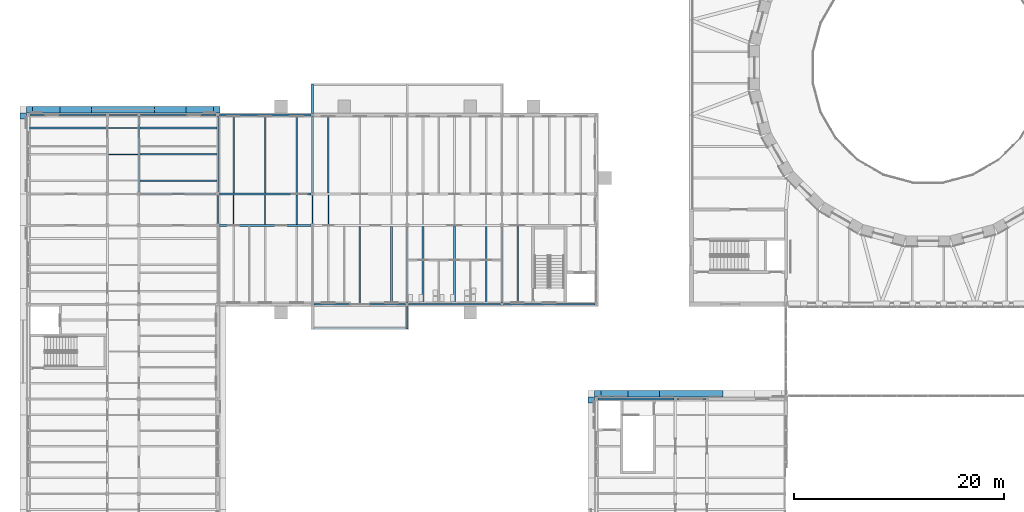
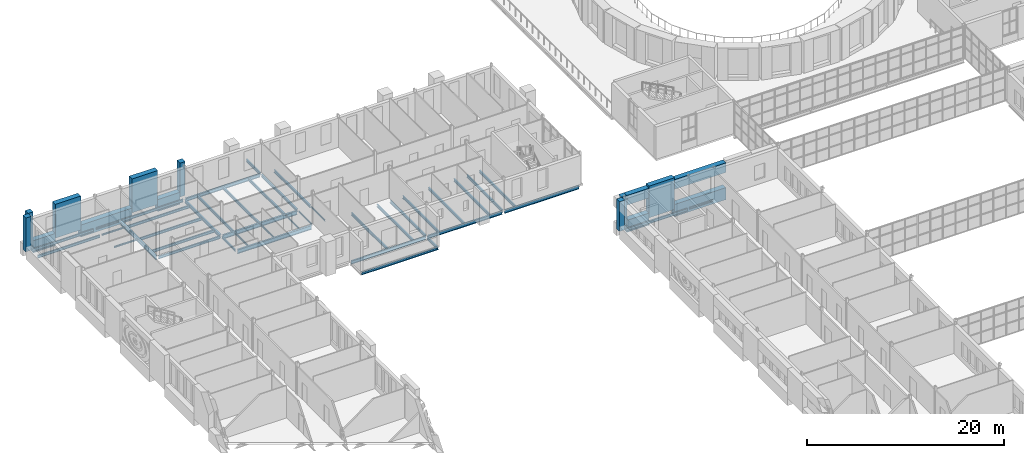
# One storey, part 35 of 154: 49 beams, 8 members.
"""IFC4 building model written with IfcOpenShell, lengths in metres."""

from ifc_helpers import new_model, si_unit, direction, frame, origin, origin_2d, place, context, subcontext, project, spatial, rectangle, i_section, extrude, material, material_profile, profile_set, type_object, element, save


model = new_model("IFC4")

# Units and contexts
model_context = context("Model", 3, precision=1e-05, world=origin(), true_north=direction((0.0, 1.0)))
body_context = subcontext(model_context, "Body", "Model", "MODEL_VIEW")
ifc_project = project(units=[si_unit("LENGTHUNIT", "METRE"), si_unit("AREAUNIT", "SQUARE_METRE"), si_unit("VOLUMEUNIT", "CUBIC_METRE"), si_unit("PLANEANGLEUNIT", "RADIAN"), si_unit("MASSUNIT", "GRAM", prefix="KILO")], contexts=[model_context])

# Site, building, storey
site_placement = place(None, origin())
site = spatial("IfcSite", under=ifc_project, at=site_placement, CompositionType="ELEMENT")
building_placement = place(site_placement, origin())
building = spatial("IfcBuilding", under=site, at=building_placement, Name="Golden Quay Civic Hall", CompositionType="ELEMENT")
storey_placement = place(building_placement, frame((0.0, 0.0, 14.39990234375)))
storey = spatial("IfcBuildingStorey", under=building, at=storey_placement, Name="L03", CompositionType="ELEMENT", Elevation=14.39990234375)

# Beams
ifc_material_1 = material(Name="Steel S355", Category="steel")
ifc_material_profile_1 = material_profile(ifc_material_1, i_section(OverallWidth=0.159912109375, OverallDepth=0.330078125, WebThickness=0.007568359375, FlangeThickness=0.011474609375, FilletRadius=0.01806640625, at=origin_2d()), Name="IPE 330")
ifc_profile_set_1 = profile_set([ifc_material_profile_1], Name="Steel S355")
beam_type_1 = type_object("IfcBeamType", Name="Loggia head beam IPE 330", PredefinedType="BEAM", material=ifc_profile_set_1)
beam_1_placement = place(storey_placement, frame((27.080078125, 60.72998046875, -0.364990234375), z_axis=(1.0, 0.0, 0.0), x_axis=(0.0, 1.0, 0.0)))
element("IfcBeam", 1, at=beam_1_placement, inside=storey, type_object=beam_type_1, Name="Loggia head beam IPE 330 L03 1", PredefinedType="BEAM", context=body_context, shape_type="SweptSolid", body=[
    extrude(i_section(OverallWidth=0.159912109375, OverallDepth=0.330078125, WebThickness=0.007568359375, FlangeThickness=0.011474609375, FilletRadius=0.01806640625, at=origin_2d()), origin(), (0.0, 0.0, 1.0), 8.83984375),
])
ifc_material_2 = material(Name="Steel S355", Category="steel")
ifc_material_profile_2 = material_profile(ifc_material_2, i_section(OverallWidth=0.159912109375, OverallDepth=0.330078125, WebThickness=0.007568359375, FlangeThickness=0.011474609375, FilletRadius=0.01806640625, at=origin_2d()), Name="IPE 330")
ifc_profile_set_2 = profile_set([ifc_material_profile_2], Name="Steel S355")
beam_type_2 = type_object("IfcBeamType", Name="Loggia stub IPE 330", PredefinedType="BEAM", material=ifc_profile_set_2)
beam_2_placement = place(storey_placement, frame((36.0, 62.885009765625, -0.364990234375), z_axis=(0.0, -1.0, 0.0), x_axis=(1.0, 0.0, 0.0)))
element("IfcBeam", 2, at=beam_2_placement, inside=storey, type_object=beam_type_2, Name="Loggia stub IPE 330 L03 2", PredefinedType="BEAM", context=body_context, shape_type="SweptSolid", body=[
    extrude(i_section(OverallWidth=0.159912109375, OverallDepth=0.330078125, WebThickness=0.007568359375, FlangeThickness=0.011474609375, FilletRadius=0.01806640625, at=origin_2d()), origin(), (0.0, 0.0, 1.0), 2.235107421875),
])
beam_3_placement = place(storey_placement, frame((27.0, 81.114990234375, -0.364990234375), z_axis=(0.0, 1.0, 0.0), x_axis=(-1.0, 0.0, 0.0)))
element("IfcBeam", 3, at=beam_3_placement, inside=storey, type_object=beam_type_2, Name="Loggia stub IPE 330 L03 3", PredefinedType="BEAM", context=body_context, shape_type="SweptSolid", body=[
    extrude(i_section(OverallWidth=0.159912109375, OverallDepth=0.330078125, WebThickness=0.007568359375, FlangeThickness=0.011474609375, FilletRadius=0.01806640625, at=origin_2d()), origin(), (0.0, 0.0, 1.0), 2.8349609375),
])

# Members
ifc_material_3 = material(Name="Concrete C40/50", Category="concrete")
ifc_material_profile_3 = material_profile(ifc_material_3, rectangle(XDim=3.0, YDim=0.60009765625, at=origin_2d()), Name="RC 3000x600")
ifc_profile_set_3 = profile_set([ifc_material_profile_3], Name="Concrete C40/50")
member_type_1 = type_object("IfcMemberType", Name="Precast concrete facade pier 3000 x 600", PredefinedType="POST", material=ifc_profile_set_3)
for number, where, z_axis, x_axis, name in (
    (4, (4.5, 81.5, 0.0), (0.0, 0.0, 1.0), (1.0, 0.0, 0.0), "Precast concrete facade pier 3000 x 600 L03 9"),
    (5, (13.5, 81.5, 0.0), (0.0, 0.0, 1.0), (1.0, 0.0, 0.0), "Precast concrete facade pier 3000 x 600 L03 10"),
):
    element("IfcMember", number, at=place(storey_placement, frame(where, z_axis=z_axis, x_axis=x_axis)), inside=storey, type_object=member_type_1, Name=name, PredefinedType="POST", context=body_context, shape_type="SweptSolid", body=[
        extrude(rectangle(XDim=3.0, YDim=0.60009765625, at=origin_2d()), origin(), (0.0, 0.0, 1.0), 4.2001953125),
    ])
member_placement = place(storey_placement, frame((58.5, 54.5, 0.0), z_axis=(0.0, 0.0, 1.0), x_axis=(1.0, 0.0, 0.0)))
element("IfcMember", 6, at=member_placement, inside=storey, type_object=member_type_1, Name="Precast concrete facade pier 3000 x 600 L03 23", PredefinedType="POST", context=body_context, shape_type="SweptSolid", body=[
    extrude(rectangle(XDim=3.0, YDim=0.60009765625, at=origin_2d()), origin(), (0.0, 0.0, 1.0), 3.920166015625),
])
ifc_material_4 = material(Name="Concrete C40/50", Category="concrete")
ifc_material_profile_4 = material_profile(ifc_material_4, rectangle(XDim=0.60009765625, YDim=0.60009765625, at=origin_2d()), Name="RC 600x600")
ifc_profile_set_4 = profile_set([ifc_material_profile_4], Name="Concrete C40/50")
member_type_2 = type_object("IfcMemberType", Name="Precast concrete facade post 600 x 600", PredefinedType="POST", material=ifc_profile_set_4)
for number, where, z_axis, x_axis, name in (
    (7, (-0.5, 80.89990234375, 0.0), (0.0, 0.0, 1.0), (1.0, 0.0, 0.0), "Precast concrete facade post 600 x 600 L03 1"),
    (8, (0.10009765625, 81.5, 0.0), (0.0, 0.0, 1.0), (1.0, 0.0, 0.0), "Precast concrete facade post 600 x 600 L03 2"),
    (9, (17.89990234375, 81.5, 0.0), (0.0, 0.0, 1.0), (1.0, 0.0, 0.0), "Precast concrete facade post 600 x 600 L03 3"),
):
    element("IfcMember", number, at=place(storey_placement, frame(where, z_axis=z_axis, x_axis=x_axis)), inside=storey, type_object=member_type_2, Name=name, PredefinedType="POST", context=body_context, shape_type="SweptSolid", body=[
        extrude(rectangle(XDim=0.60009765625, YDim=0.60009765625, at=origin_2d()), origin(), (0.0, 0.0, 1.0), 4.2001953125),
    ])
for number, where, z_axis, x_axis, name in (
    (10, (53.5, 53.89990234375, 0.0), (0.0, 0.0, 1.0), (1.0, 0.0, 0.0), "Precast concrete facade post 600 x 600 L03 6"),
    (11, (54.10009765625, 54.5, 0.0), (0.0, 0.0, 1.0), (1.0, 0.0, 0.0), "Precast concrete facade post 600 x 600 L03 7"),
):
    element("IfcMember", number, at=place(storey_placement, frame(where, z_axis=z_axis, x_axis=x_axis)), inside=storey, type_object=member_type_2, Name=name, PredefinedType="POST", context=body_context, shape_type="SweptSolid", body=[
        extrude(rectangle(XDim=0.60009765625, YDim=0.60009765625, at=origin_2d()), origin(), (0.0, 0.0, 1.0), 3.68017578125),
    ])

# Beams
ifc_material_5 = material(Name="Concrete C40/50", Category="concrete")
ifc_material_profile_5 = material_profile(ifc_material_5, rectangle(XDim=0.60009765625, YDim=1.199951171875, at=origin_2d()), Name="RC 600x1200")
ifc_profile_set_5 = profile_set([ifc_material_profile_5], Name="Concrete C40/50")
beam_type_3 = type_object("IfcBeamType", Name="Precast concrete spandrel beam 600 x 1200", PredefinedType="SPANDREL", material=ifc_profile_set_5)
beam_4_placement = place(storey_placement, frame((54.39990234375, 54.5, 3.080078125), z_axis=(1.0, 0.0, 0.0), x_axis=(0.0, 1.0, 0.0)))
element("IfcBeam", 12, at=beam_4_placement, inside=storey, type_object=beam_type_3, Name="Precast concrete spandrel beam 600 x 1200 L03 2", PredefinedType="SPANDREL", context=body_context, shape_type="SweptSolid", body=[
    extrude(rectangle(XDim=0.60009765625, YDim=1.199951171875, at=origin_2d()), origin(), (0.0, 0.0, 1.0), 2.60009765625),
])
beam_5_placement = place(storey_placement, frame((60.0, 54.5, 3.080078125), z_axis=(1.0, 0.0, 0.0), x_axis=(0.0, 1.0, 0.0)))
element("IfcBeam", 13, at=beam_5_placement, inside=storey, type_object=beam_type_3, Name="Precast concrete spandrel beam 600 x 1200 L03 4", PredefinedType="SPANDREL", context=body_context, shape_type="SweptSolid", body=[
    extrude(rectangle(XDim=0.60009765625, YDim=1.199951171875, at=origin_2d()), origin(), (0.0, 0.0, 1.0), 6.0),
])
ifc_material_6 = material(Name="Concrete C40/50", Category="concrete")
ifc_material_profile_6 = material_profile(ifc_material_6, rectangle(XDim=0.60009765625, YDim=1.5, at=origin_2d()), Name="RC 600x1500")
ifc_profile_set_6 = profile_set([ifc_material_profile_6], Name="Concrete C40/50")
beam_type_4 = type_object("IfcBeamType", Name="Precast concrete spandrel beam 600 x 1500", PredefinedType="SPANDREL", material=ifc_profile_set_6)
for number, where, z_axis, x_axis, name in (
    (14, (0.39990234375, 81.5, -0.14990234375), (1.0, 0.0, 0.0), (0.0, 1.0, 0.0), "Precast concrete spandrel beam 600 x 1500 L03 2"),
    (15, (15.0, 81.5, -0.14990234375), (1.0, 0.0, 0.0), (0.0, 1.0, 0.0), "Precast concrete spandrel beam 600 x 1500 L03 4"),
):
    element("IfcBeam", number, at=place(storey_placement, frame(where, z_axis=z_axis, x_axis=x_axis)), inside=storey, type_object=beam_type_4, Name=name, PredefinedType="SPANDREL", context=body_context, shape_type="SweptSolid", body=[
        extrude(rectangle(XDim=0.60009765625, YDim=1.5, at=origin_2d()), origin(), (0.0, 0.0, 1.0), 2.60009765625),
    ])
beam_6_placement = place(storey_placement, frame((6.0, 81.5, -0.14990234375), z_axis=(1.0, 0.0, 0.0), x_axis=(0.0, 1.0, 0.0)))
element("IfcBeam", 16, at=beam_6_placement, inside=storey, type_object=beam_type_4, Name="Precast concrete spandrel beam 600 x 1500 L03 5", PredefinedType="SPANDREL", context=body_context, shape_type="SweptSolid", body=[
    extrude(rectangle(XDim=0.60009765625, YDim=1.5, at=origin_2d()), origin(), (0.0, 0.0, 1.0), 6.0),
])
beam_7_placement = place(storey_placement, frame((54.39990234375, 54.5, -0.14990234375), z_axis=(1.0, 0.0, 0.0), x_axis=(0.0, 1.0, 0.0)))
element("IfcBeam", 17, at=beam_7_placement, inside=storey, type_object=beam_type_4, Name="Precast concrete spandrel beam 600 x 1500 L03 21", PredefinedType="SPANDREL", context=body_context, shape_type="SweptSolid", body=[
    extrude(rectangle(XDim=0.60009765625, YDim=1.5, at=origin_2d()), origin(), (0.0, 0.0, 1.0), 2.60009765625),
])
beam_8_placement = place(storey_placement, frame((60.0, 54.5, -0.14990234375), z_axis=(1.0, 0.0, 0.0), x_axis=(0.0, 1.0, 0.0)))
element("IfcBeam", 18, at=beam_8_placement, inside=storey, type_object=beam_type_4, Name="Precast concrete spandrel beam 600 x 1500 L03 23", PredefinedType="SPANDREL", context=body_context, shape_type="SweptSolid", body=[
    extrude(rectangle(XDim=0.60009765625, YDim=1.5, at=origin_2d()), origin(), (0.0, 0.0, 1.0), 6.0),
])
ifc_material_7 = material(Name="Steel S355", Category="steel")
ifc_material_profile_7 = material_profile(ifc_material_7, i_section(OverallWidth=0.10009765625, OverallDepth=0.199951171875, WebThickness=0.005615234375, FlangeThickness=0.008544921875, FilletRadius=0.011962890625, at=origin_2d()), Name="IPE 200")
ifc_profile_set_7 = profile_set([ifc_material_profile_7], Name="Steel S355")
beam_type_5 = type_object("IfcBeamType", Name="Steel beam IPE 200", PredefinedType="BEAM", material=ifc_profile_set_7)
beam_9_placement = place(storey_placement, frame((7.64990234375, 81.0, -0.2998046875), z_axis=(1.0, 0.0, 0.0), x_axis=(0.0, 1.0, 0.0)))
element("IfcBeam", 19, at=beam_9_placement, inside=storey, type_object=beam_type_5, Name="Beam S81-7.5", PredefinedType="BEAM", context=body_context, shape_type="SweptSolid", body=[
    extrude(i_section(OverallWidth=0.10009765625, OverallDepth=0.199951171875, WebThickness=0.005615234375, FlangeThickness=0.008544921875, FilletRadius=0.011962890625, at=origin_2d()), origin(), (0.0, 0.0, 1.0), 2.7001953125),
])
beam_10_placement = place(storey_placement, frame((27.0, 70.64501953125, -0.2998046875), z_axis=(0.0, 1.0, 0.0), x_axis=(-1.0, 0.0, 0.0)))
element("IfcBeam", 20, at=beam_10_placement, inside=storey, type_object=beam_type_5, Name="Beam S27-70.5", PredefinedType="BEAM", context=body_context, shape_type="SweptSolid", body=[
    extrude(i_section(OverallWidth=0.10009765625, OverallDepth=0.199951171875, WebThickness=0.005615234375, FlangeThickness=0.008544921875, FilletRadius=0.011962890625, at=origin_2d()), origin(), (0.0, 0.0, 1.0), 2.7099609375),
])
beam_11_placement = place(storey_placement, frame((61.6201171875, 54.0, -0.2998046875), z_axis=(1.0, 0.0, 0.0), x_axis=(0.0, 1.0, 0.0)))
element("IfcBeam", 21, at=beam_11_placement, inside=storey, type_object=beam_type_5, Name="Beam S54-61.5", PredefinedType="BEAM", context=body_context, shape_type="SweptSolid", body=[
    extrude(i_section(OverallWidth=0.10009765625, OverallDepth=0.199951171875, WebThickness=0.005615234375, FlangeThickness=0.008544921875, FilletRadius=0.011962890625, at=origin_2d()), origin(), (0.0, 0.0, 1.0), 2.759765625),
])
ifc_material_8 = material(Name="Steel S355", Category="steel")
ifc_material_profile_8 = material_profile(ifc_material_8, i_section(OverallWidth=0.135009765625, OverallDepth=0.27001953125, WebThickness=0.006591796875, FlangeThickness=0.01025390625, FilletRadius=0.014892578125, at=origin_2d()), Name="IPE 270")
ifc_profile_set_8 = profile_set([ifc_material_profile_8], Name="Steel S355")
beam_type_6 = type_object("IfcBeamType", Name="Steel beam IPE 270", PredefinedType="BEAM", material=ifc_profile_set_8)
beam_12_placement = place(storey_placement, frame((18.0, 70.64501953125, -0.3349609375), z_axis=(0.0, 1.0, 0.0), x_axis=(-1.0, 0.0, 0.0)))
element("IfcBeam", 22, at=beam_12_placement, inside=storey, type_object=beam_type_6, Name="Beam L18-70.5", PredefinedType="BEAM", context=body_context, shape_type="SweptSolid", body=[
    extrude(i_section(OverallWidth=0.135009765625, OverallDepth=0.27001953125, WebThickness=0.006591796875, FlangeThickness=0.01025390625, FilletRadius=0.014892578125, at=origin_2d()), origin(), (0.0, 0.0, 1.0), 2.7099609375),
])
ifc_material_9 = material(Name="Steel S355", Category="steel")
ifc_material_profile_9 = material_profile(ifc_material_9, i_section(OverallWidth=0.159912109375, OverallDepth=0.330078125, WebThickness=0.007568359375, FlangeThickness=0.011474609375, FilletRadius=0.01806640625, at=origin_2d()), Name="IPE 330")
ifc_profile_set_9 = profile_set([ifc_material_profile_9], Name="Steel S355")
beam_type_7 = type_object("IfcBeamType", Name="Steel beam IPE 330", PredefinedType="BEAM", material=ifc_profile_set_9)
for number, where, z_axis, x_axis, name in (
    (23, (10.64990234375, 73.5, -0.364990234375), (1.0, 0.0, 0.0), (0.0, 1.0, 0.0), "Beam S73.5-10.5"),
    (24, (0.14990234375, 81.0, -0.364990234375), (1.0, 0.0, 0.0), (0.0, 1.0, 0.0), "Beam S81-0"),
    (25, (10.64990234375, 81.0, -0.364990234375), (1.0, 0.0, 0.0), (0.0, 1.0, 0.0), "Beam S81-10.5"),
):
    element("IfcBeam", number, at=place(storey_placement, frame(where, z_axis=z_axis, x_axis=x_axis)), inside=storey, type_object=beam_type_7, Name=name, PredefinedType="BEAM", context=body_context, shape_type="SweptSolid", body=[
        extrude(i_section(OverallWidth=0.159912109375, OverallDepth=0.330078125, WebThickness=0.007568359375, FlangeThickness=0.011474609375, FilletRadius=0.01806640625, at=origin_2d()), origin(), (0.0, 0.0, 1.0), 7.2001953125),
    ])
for number, where, z_axis, x_axis, name in (
    (26, (27.0, 73.64501953125, -0.364990234375), (0.0, 1.0, 0.0), (-1.0, 0.0, 0.0), "Beam S27-73.5"),
    (27, (36.0, 63.135009765625, -0.364990234375), (0.0, 1.0, 0.0), (-1.0, 0.0, 0.0), "Beam S36-63"),
    (28, (45.0, 63.135009765625, -0.364990234375), (0.0, 1.0, 0.0), (-1.0, 0.0, 0.0), "Beam S45-63"),
):
    element("IfcBeam", number, at=place(storey_placement, frame(where, z_axis=z_axis, x_axis=x_axis)), inside=storey, type_object=beam_type_7, Name=name, PredefinedType="BEAM", context=body_context, shape_type="SweptSolid", body=[
        extrude(i_section(OverallWidth=0.159912109375, OverallDepth=0.330078125, WebThickness=0.007568359375, FlangeThickness=0.011474609375, FilletRadius=0.01806640625, at=origin_2d()), origin(), (0.0, 0.0, 1.0), 7.219970703125),
    ])
beam_13_placement = place(storey_placement, frame((54.1201171875, 54.0, -0.364990234375), z_axis=(1.0, 0.0, 0.0), x_axis=(0.0, 1.0, 0.0)))
element("IfcBeam", 29, at=beam_13_placement, inside=storey, type_object=beam_type_7, Name="Beam S54-54", PredefinedType="BEAM", context=body_context, shape_type="SweptSolid", body=[
    extrude(i_section(OverallWidth=0.159912109375, OverallDepth=0.330078125, WebThickness=0.007568359375, FlangeThickness=0.011474609375, FilletRadius=0.01806640625, at=origin_2d()), origin(), (0.0, 0.0, 1.0), 7.259765625),
])
ifc_material_10 = material(Name="Steel S355", Category="steel")
ifc_material_profile_10 = material_profile(ifc_material_10, i_section(OverallWidth=0.179931640625, OverallDepth=0.39990234375, WebThickness=0.008544921875, FlangeThickness=0.013427734375, FilletRadius=0.02099609375, at=origin_2d()), Name="IPE 400")
ifc_profile_set_10 = profile_set([ifc_material_profile_10], Name="Steel S355")
beam_type_8 = type_object("IfcBeamType", Name="Steel beam IPE 400", PredefinedType="BEAM", material=ifc_profile_set_10)
beam_14_placement = place(storey_placement, frame((18.0, 73.64501953125, -0.39990234375), z_axis=(0.0, 1.0, 0.0), x_axis=(-1.0, 0.0, 0.0)))
element("IfcBeam", 30, at=beam_14_placement, inside=storey, type_object=beam_type_8, Name="Beam L18-73.5", PredefinedType="BEAM", context=body_context, shape_type="SweptSolid", body=[
    extrude(i_section(OverallWidth=0.179931640625, OverallDepth=0.39990234375, WebThickness=0.008544921875, FlangeThickness=0.013427734375, FilletRadius=0.02099609375, at=origin_2d()), origin(), (0.0, 0.0, 1.0), 7.2099609375),
])
for number, where, z_axis, x_axis, name in (
    (31, (27.139892578125, 63.0, -0.39990234375), (1.0, 0.0, 0.0), (0.0, 1.0, 0.0), "Beam L63-27"),
    (32, (36.139892578125, 63.0, -0.39990234375), (1.0, 0.0, 0.0), (0.0, 1.0, 0.0), "Beam L63-36"),
    (33, (45.139892578125, 63.0, -0.39990234375), (1.0, 0.0, 0.0), (0.0, 1.0, 0.0), "Beam L63-45"),
):
    element("IfcBeam", number, at=place(storey_placement, frame(where, z_axis=z_axis, x_axis=x_axis)), inside=storey, type_object=beam_type_8, Name=name, PredefinedType="BEAM", context=body_context, shape_type="SweptSolid", body=[
        extrude(i_section(OverallWidth=0.179931640625, OverallDepth=0.39990234375, WebThickness=0.008544921875, FlangeThickness=0.013427734375, FilletRadius=0.02099609375, at=origin_2d()), origin(), (0.0, 0.0, 1.0), 8.72021484375),
    ])
beam_15_placement = place(storey_placement, frame((18.14990234375, 81.0, -0.39990234375), z_axis=(1.0, 0.0, 0.0), x_axis=(0.0, 1.0, 0.0)))
element("IfcBeam", 34, at=beam_15_placement, inside=storey, type_object=beam_type_8, Name="Beam L81-18", PredefinedType="BEAM", context=body_context, shape_type="SweptSolid", body=[
    extrude(i_section(OverallWidth=0.179931640625, OverallDepth=0.39990234375, WebThickness=0.008544921875, FlangeThickness=0.013427734375, FilletRadius=0.02099609375, at=origin_2d()), origin(), (0.0, 0.0, 1.0), 8.710205078125),
])
ifc_material_11 = material(Name="Steel S355", Category="steel")
ifc_material_profile_11 = material_profile(ifc_material_11, i_section(OverallWidth=0.199951171875, OverallDepth=0.5, WebThickness=0.01025390625, FlangeThickness=0.01611328125, FilletRadius=0.02099609375, at=origin_2d()), Name="IPE 500")
ifc_profile_set_11 = profile_set([ifc_material_profile_11], Name="Steel S355")
beam_type_9 = type_object("IfcBeamType", Name="Steel beam IPE 500", PredefinedType="BEAM", material=ifc_profile_set_11)
beam_16_placement = place(storey_placement, frame((10.5, 73.64990234375, -0.449951171875), z_axis=(0.0, 1.0, 0.0), x_axis=(-1.0, 0.0, 0.0)))
element("IfcBeam", 35, at=beam_16_placement, inside=storey, type_object=beam_type_9, Name="Beam L10.5-73.5", PredefinedType="BEAM", context=body_context, shape_type="SweptSolid", body=[
    extrude(i_section(OverallWidth=0.199951171875, OverallDepth=0.5, WebThickness=0.01025390625, FlangeThickness=0.01611328125, FilletRadius=0.02099609375, at=origin_2d()), origin(), (0.0, 0.0, 1.0), 7.205078125),
])
for number, where, z_axis, x_axis, name in (
    (36, (18.14990234375, 70.5, -0.449951171875), (1.0, 0.0, 0.0), (0.0, 1.0, 0.0), "Beam L70.5-18"),
    (37, (18.14990234375, 73.5, -0.449951171875), (1.0, 0.0, 0.0), (0.0, 1.0, 0.0), "Beam L73.5-18"),
):
    element("IfcBeam", number, at=place(storey_placement, frame(where, z_axis=z_axis, x_axis=x_axis)), inside=storey, type_object=beam_type_9, Name=name, PredefinedType="BEAM", context=body_context, shape_type="SweptSolid", body=[
        extrude(i_section(OverallWidth=0.199951171875, OverallDepth=0.5, WebThickness=0.01025390625, FlangeThickness=0.01611328125, FilletRadius=0.02099609375, at=origin_2d()), origin(), (0.0, 0.0, 1.0), 8.7001953125),
    ])
ifc_material_12 = material(Name="Steel S355", Category="steel")
ifc_material_profile_12 = material_profile(ifc_material_12, i_section(OverallWidth=0.10009765625, OverallDepth=0.199951171875, WebThickness=0.005615234375, FlangeThickness=0.008544921875, FilletRadius=0.011962890625, at=origin_2d()), Name="IPE 200")
ifc_profile_set_12 = profile_set([ifc_material_profile_12], Name="Steel S355")
beam_type_10 = type_object("IfcBeamType", Name="Steel joist IPE 200", PredefinedType="JOIST", material=ifc_profile_set_12)
for number, where, z_axis, x_axis, name in (
    (38, (7.60009765625, 77.25, -0.2998046875), (1.0, 0.0, 0.0), (0.0, 1.0, 0.0), "Joist J77.25-7.5"),
    (39, (7.60009765625, 79.75, -0.2998046875), (1.0, 0.0, 0.0), (0.0, 1.0, 0.0), "Joist J79.75-7.5"),
    (40, (19.5, 70.60009765625, -0.2998046875), (0.0, 1.0, 0.0), (-1.0, 0.0, 0.0), "Joist J19.5-70.5"),
    (41, (22.5, 70.60009765625, -0.2998046875), (0.0, 1.0, 0.0), (-1.0, 0.0, 0.0), "Joist J22.5-70.5"),
    (42, (25.5, 70.60009765625, -0.2998046875), (0.0, 1.0, 0.0), (-1.0, 0.0, 0.0), "Joist J25.5-70.5"),
    (43, (28.5, 70.60009765625, -0.2998046875), (0.0, 1.0, 0.0), (-1.0, 0.0, 0.0), "Joist J28.5-70.5"),
):
    element("IfcBeam", number, at=place(storey_placement, frame(where, z_axis=z_axis, x_axis=x_axis)), inside=storey, type_object=beam_type_10, Name=name, PredefinedType="JOIST", context=body_context, shape_type="SweptSolid", body=[
        extrude(i_section(OverallWidth=0.10009765625, OverallDepth=0.199951171875, WebThickness=0.005615234375, FlangeThickness=0.008544921875, FilletRadius=0.011962890625, at=origin_2d()), origin(), (0.0, 0.0, 1.0), 2.7998046875),
    ])
ifc_material_13 = material(Name="Steel S355", Category="steel")
ifc_material_profile_13 = material_profile(ifc_material_13, i_section(OverallWidth=0.159912109375, OverallDepth=0.330078125, WebThickness=0.007568359375, FlangeThickness=0.011474609375, FilletRadius=0.01806640625, at=origin_2d()), Name="IPE 330")
ifc_profile_set_13 = profile_set([ifc_material_profile_13], Name="Steel S355")
beam_type_11 = type_object("IfcBeamType", Name="Steel joist IPE 330", PredefinedType="JOIST", material=ifc_profile_set_13)
for number, where, z_axis, x_axis, name in (
    (44, (10.60009765625, 74.75, -0.364990234375), (1.0, 0.0, 0.0), (0.0, 1.0, 0.0), "Joist J74.75-10.5"),
    (45, (10.60009765625, 77.25, -0.364990234375), (1.0, 0.0, 0.0), (0.0, 1.0, 0.0), "Joist J77.25-10.5"),
    (46, (0.090087890625, 79.75, -0.364990234375), (1.0, 0.0, 0.0), (0.0, 1.0, 0.0), "Joist J79.75-0"),
    (47, (10.60009765625, 79.75, -0.364990234375), (1.0, 0.0, 0.0), (0.0, 1.0, 0.0), "Joist J79.75-10.5"),
    (48, (19.5, 73.60009765625, -0.364990234375), (0.0, 1.0, 0.0), (-1.0, 0.0, 0.0), "Joist J19.5-73.5"),
    (49, (22.5, 73.60009765625, -0.364990234375), (0.0, 1.0, 0.0), (-1.0, 0.0, 0.0), "Joist J22.5-73.5"),
    (50, (25.5, 73.60009765625, -0.364990234375), (0.0, 1.0, 0.0), (-1.0, 0.0, 0.0), "Joist J25.5-73.5"),
    (51, (28.5, 73.60009765625, -0.364990234375), (0.0, 1.0, 0.0), (-1.0, 0.0, 0.0), "Joist J28.5-73.5"),
    (52, (31.5, 63.090087890625, -0.364990234375), (0.0, 1.0, 0.0), (-1.0, 0.0, 0.0), "Joist J31.5-63"),
    (53, (34.5, 63.090087890625, -0.364990234375), (0.0, 1.0, 0.0), (-1.0, 0.0, 0.0), "Joist J34.5-63"),
    (54, (37.5, 63.090087890625, -0.364990234375), (0.0, 1.0, 0.0), (-1.0, 0.0, 0.0), "Joist J37.5-63"),
    (55, (40.5, 63.090087890625, -0.364990234375), (0.0, 1.0, 0.0), (-1.0, 0.0, 0.0), "Joist J40.5-63"),
    (56, (43.5, 63.090087890625, -0.364990234375), (0.0, 1.0, 0.0), (-1.0, 0.0, 0.0), "Joist J43.5-63"),
    (57, (46.5, 63.090087890625, -0.364990234375), (0.0, 1.0, 0.0), (-1.0, 0.0, 0.0), "Joist J46.5-63"),
):
    element("IfcBeam", number, at=place(storey_placement, frame(where, z_axis=z_axis, x_axis=x_axis)), inside=storey, type_object=beam_type_11, Name=name, PredefinedType="JOIST", context=body_context, shape_type="SweptSolid", body=[
        extrude(i_section(OverallWidth=0.159912109375, OverallDepth=0.330078125, WebThickness=0.007568359375, FlangeThickness=0.011474609375, FilletRadius=0.01806640625, at=origin_2d()), origin(), (0.0, 0.0, 1.0), 7.309814453125),
    ])

save(model, "model.ifc")
